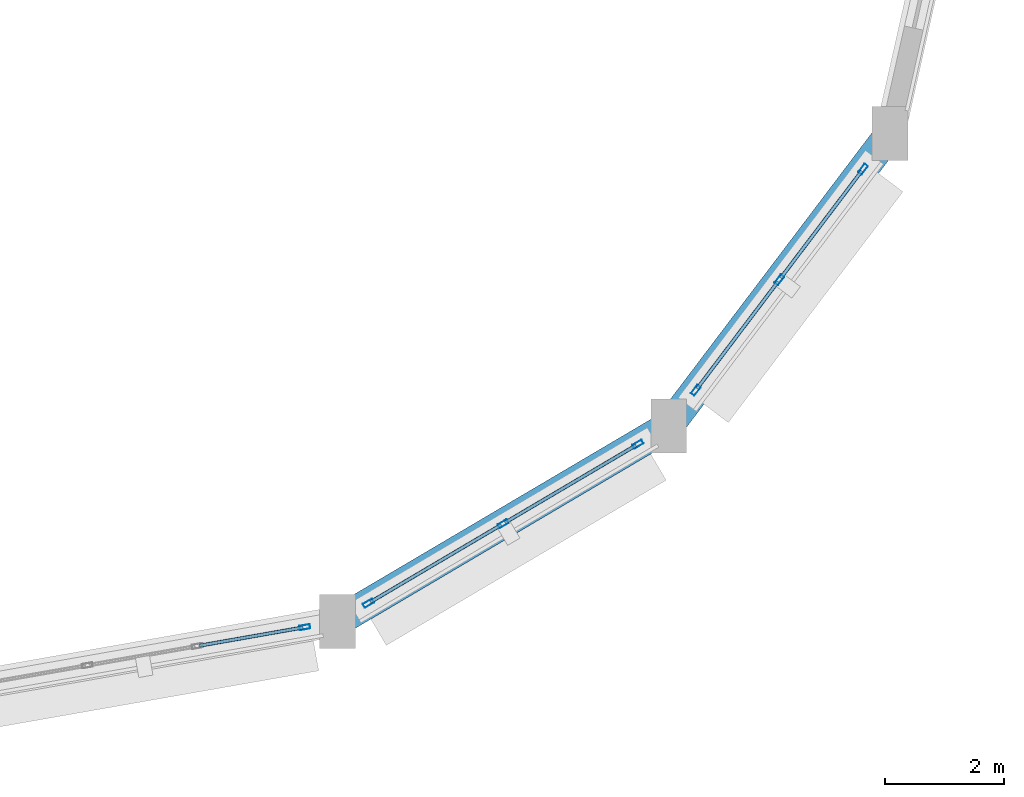
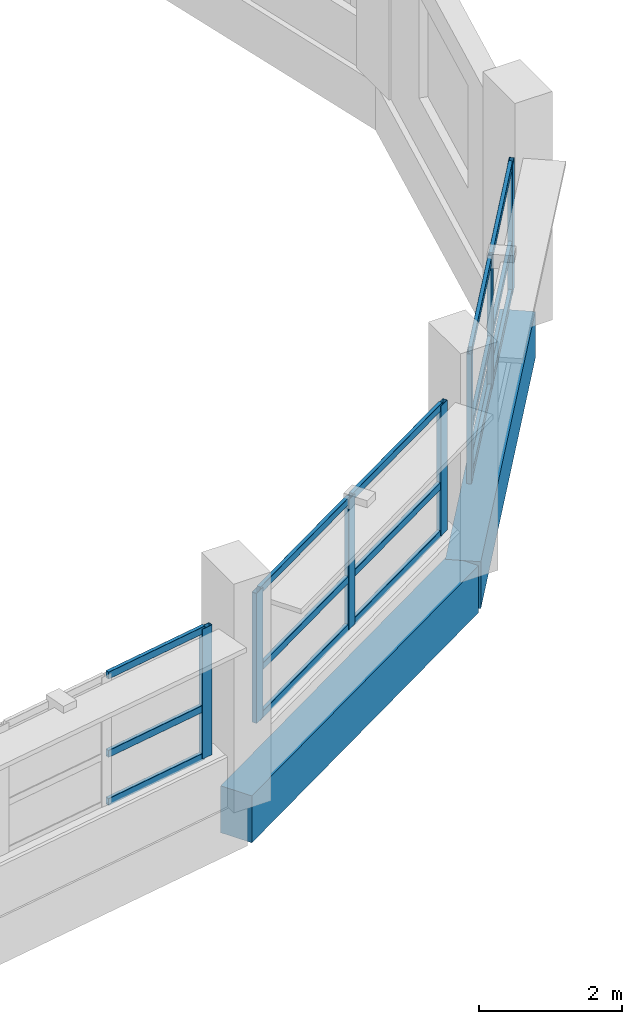
# One storey, part 83 of 121: 22 members, 2 beams, 3 elements without a shape of their own.
"""IFC4 building model written with IfcOpenShell, lengths in metres."""

from ifc_helpers import new_model, si_unit, direction, frame, origin, origin_2d, place, context, subcontext, project, spatial, rectangle, hollow_rectangle, extrude, material, layer, layer_set, material_profile, profile_set, type_object, element, aggregate, save


model = new_model("IFC4")

# Units and contexts
model_context = context("Model", 3, precision=1e-05, world=origin(), true_north=direction((0.0, 1.0)))
body_context = subcontext(model_context, "Body", "Model", "MODEL_VIEW")
ifc_project = project(units=[si_unit("LENGTHUNIT", "METRE"), si_unit("AREAUNIT", "SQUARE_METRE"), si_unit("VOLUMEUNIT", "CUBIC_METRE"), si_unit("PLANEANGLEUNIT", "RADIAN"), si_unit("MASSUNIT", "GRAM", prefix="KILO")], contexts=[model_context])

# Site, building, storey
site_placement = place(None, origin())
site = spatial("IfcSite", under=ifc_project, at=site_placement, CompositionType="ELEMENT")
building_placement = place(site_placement, origin())
building = spatial("IfcBuilding", under=site, at=building_placement, Name="Vespera Passage Community Centre", CompositionType="ELEMENT")
storey_placement = place(building_placement, frame((0.0, 0.0, 8.699951171875)))
storey = spatial("IfcBuildingStorey", under=building, at=storey_placement, Name="L02", CompositionType="ELEMENT", Elevation=8.699951171875)

# Beams
ifc_material_1 = material(Name="Concrete f'c 35 MPa", Category="concrete")
ifc_material_profile_1 = material_profile(ifc_material_1, rectangle(XDim=0.5, YDim=0.800048828125, at=origin_2d()), Name="RC500X800")
ifc_profile_set_1 = profile_set([ifc_material_profile_1], Name="Concrete f'c 35 MPa")
beam_type = type_object("IfcBeamType", Name="BM-SP-500X800E", PredefinedType="SPANDREL", material=ifc_profile_set_1)
beam_1_placement = place(storey_placement, frame((149.5439453125, 75.54931640625, -0.39990234375), z_axis=(0.861245535965, 0.508189065978, 0.0), x_axis=(-0.508189065978, 0.861245535965, 0.0)))
element("IfcBeam", 1, at=beam_1_placement, inside=storey, type_object=beam_type, Name="V2 L02 Perimeter Spandrel 14", PredefinedType="SPANDREL", context=body_context, shape_type="SweptSolid", body=[
    extrude(rectangle(XDim=0.5, YDim=0.800048828125, at=origin_2d()), origin(), (0.0, 0.0, 1.0), 6.44140625),
])
beam_2_placement = place(storey_placement, frame((155.091552734375, 78.82275390625, -0.39990234375), z_axis=(0.603409203322, 0.797431710773, 0.0), x_axis=(-0.797431710773, 0.603409203322, 0.0)))
element("IfcBeam", 2, at=beam_2_placement, inside=storey, type_object=beam_type, Name="V2 L02 Perimeter Spandrel 15", PredefinedType="SPANDREL", context=body_context, shape_type="SweptSolid", body=[
    extrude(rectangle(XDim=0.5, YDim=0.800048828125, at=origin_2d()), origin(), (0.0, 0.0, 1.0), 6.14306640625),
])

# Curtain wall, member
ifc_material_2 = material(Name="Anodized aluminium 6063-T6", Category="aluminium")
ifc_layer_1 = layer(ifc_material_2, 0.159912109375)
ifc_layer_set_1 = layer_set([ifc_layer_1], Name="Anodized aluminium 6063-T6")
curtain_wall_type_1 = type_object("IfcCurtainWallType", Name="CW-100E", PredefinedType="NOTDEFINED", material=ifc_layer_set_1)
curtain_wall_1_placement = place(storey_placement, origin())
curtain_wall_1 = element("IfcCurtainWall", 3, at=curtain_wall_1_placement, inside=storey, type_object=curtain_wall_type_1, Name="Sports Drum Ribbon Curtain Wall L02.13", PredefinedType="NOTDEFINED")
ifc_material_3 = material(Name="Anodized aluminium 6063-T6", Category="aluminium")
ifc_material_profile_2 = material_profile(ifc_material_3, hollow_rectangle(XDim=0.074951171875, YDim=0.179931640625, WallThickness=0.0048828125, InnerFilletRadius=0.00244140625, OuterFilletRadius=0.0048828125, at=origin_2d()), Name="ALU180X75X5")
ifc_profile_set_2 = profile_set([ifc_material_profile_2], Name="Anodized aluminium 6063-T6")
member_type_1 = type_object("IfcMemberType", Name="MB-CWM-180E", PredefinedType="MULLION", material=ifc_profile_set_2)
member_1_placement = place(storey_placement, frame((148.9951171875, 75.453125, 0.85009765625), z_axis=(0.0, 0.0, 1.0), x_axis=(0.172994429562, -0.984922802731, 0.0)))
member_1 = element("IfcMember", 4, at=member_1_placement, type_object=member_type_1, Name="CW-100E mullion 1", PredefinedType="MULLION", context=body_context, shape_type="SweptSolid", body=[
    extrude(hollow_rectangle(XDim=0.074951171875, YDim=0.179931640625, WallThickness=0.0048828125, InnerFilletRadius=0.00244140625, OuterFilletRadius=0.0048828125, at=origin_2d()), origin(), (0.0, 0.0, 1.0), 2.21484375),
])

# Curtain wall, members
ifc_material_4 = material(Name="Anodized aluminium 6063-T6", Category="aluminium")
ifc_layer_2 = layer(ifc_material_4, 0.159912109375)
ifc_layer_set_2 = layer_set([ifc_layer_2], Name="Anodized aluminium 6063-T6")
curtain_wall_type_2 = type_object("IfcCurtainWallType", Name="CW-99E", PredefinedType="NOTDEFINED", material=ifc_layer_set_2)
curtain_wall_2_placement = place(storey_placement, origin())
curtain_wall_2 = element("IfcCurtainWall", 5, at=curtain_wall_2_placement, inside=storey, type_object=curtain_wall_type_2, Name="Sports Drum Ribbon Curtain Wall L02.14", PredefinedType="NOTDEFINED")
member_2_placement = place(storey_placement, frame((154.573974609375, 78.517333984375, 0.85009765625), z_axis=(0.0, 0.0, 1.0), x_axis=(0.50817007737, -0.861256740157, 0.0)))
member_2 = element("IfcMember", 6, at=member_2_placement, type_object=member_type_1, Name="CW-99E mullion 1", PredefinedType="MULLION", context=body_context, shape_type="SweptSolid", body=[
    extrude(hollow_rectangle(XDim=0.074951171875, YDim=0.179931640625, WallThickness=0.0048828125, InnerFilletRadius=0.00244140625, OuterFilletRadius=0.0048828125, at=origin_2d()), origin(), (0.0, 0.0, 1.0), 2.21484375),
])
member_3_placement = place(storey_placement, frame((152.317626953125, 77.18603515625, 0.85009765625), z_axis=(0.0, 0.0, 1.0), x_axis=(0.50817007737, -0.861256740157, 0.0)))
member_3 = element("IfcMember", 7, at=member_3_placement, type_object=member_type_1, Name="CW-99E mullion 2", PredefinedType="MULLION", context=body_context, shape_type="SweptSolid", body=[
    extrude(hollow_rectangle(XDim=0.074951171875, YDim=0.179931640625, WallThickness=0.0048828125, InnerFilletRadius=0.00244140625, OuterFilletRadius=0.0048828125, at=origin_2d()), origin(), (0.0, 0.0, 1.0), 2.21484375),
])
member_4_placement = place(storey_placement, frame((150.061279296875, 75.854736328125, 0.85009765625), z_axis=(0.0, 0.0, 1.0), x_axis=(0.50817007737, -0.861256740157, 0.0)))
member_4 = element("IfcMember", 8, at=member_4_placement, type_object=member_type_1, Name="CW-99E mullion 3", PredefinedType="MULLION", context=body_context, shape_type="SweptSolid", body=[
    extrude(hollow_rectangle(XDim=0.074951171875, YDim=0.179931640625, WallThickness=0.0048828125, InnerFilletRadius=0.00244140625, OuterFilletRadius=0.0048828125, at=origin_2d()), origin(), (0.0, 0.0, 1.0), 2.21484375),
])

ifc_material_5 = material(Name="Anodized aluminium 6063-T6", Category="aluminium")
ifc_layer_3 = layer(ifc_material_5, 0.159912109375)
ifc_layer_set_3 = layer_set([ifc_layer_3], Name="Anodized aluminium 6063-T6")
curtain_wall_type_3 = type_object("IfcCurtainWallType", Name="CW-98E", PredefinedType="NOTDEFINED", material=ifc_layer_set_3)
curtain_wall_3_placement = place(storey_placement, origin())
curtain_wall_3 = element("IfcCurtainWall", 9, at=curtain_wall_3_placement, inside=storey, type_object=curtain_wall_type_3, Name="Sports Drum Ribbon Curtain Wall L02.15", PredefinedType="NOTDEFINED")
member_5_placement = place(storey_placement, frame((158.345947265625, 83.123779296875, 0.85009765625), z_axis=(0.0, 0.0, 1.0), x_axis=(0.797434495654, -0.603405522961, 0.0)))
member_5 = element("IfcMember", 10, at=member_5_placement, type_object=member_type_1, Name="CW-98E mullion 1", PredefinedType="MULLION", context=body_context, shape_type="SweptSolid", body=[
    extrude(hollow_rectangle(XDim=0.074951171875, YDim=0.179931640625, WallThickness=0.0048828125, InnerFilletRadius=0.00244140625, OuterFilletRadius=0.0048828125, at=origin_2d()), origin(), (0.0, 0.0, 1.0), 2.21484375),
])
member_6_placement = place(storey_placement, frame((156.94482421875, 81.272216796875, 0.85009765625), z_axis=(0.0, 0.0, 1.0), x_axis=(0.797434495654, -0.603405522961, 0.0)))
member_6 = element("IfcMember", 11, at=member_6_placement, type_object=member_type_1, Name="CW-98E mullion 2", PredefinedType="MULLION", context=body_context, shape_type="SweptSolid", body=[
    extrude(hollow_rectangle(XDim=0.074951171875, YDim=0.179931640625, WallThickness=0.0048828125, InnerFilletRadius=0.00244140625, OuterFilletRadius=0.0048828125, at=origin_2d()), origin(), (0.0, 0.0, 1.0), 2.21484375),
])
member_7_placement = place(storey_placement, frame((155.5439453125, 79.42041015625, 0.85009765625), z_axis=(0.0, 0.0, 1.0), x_axis=(0.797434495654, -0.603405522961, 0.0)))
member_7 = element("IfcMember", 12, at=member_7_placement, type_object=member_type_1, Name="CW-98E mullion 3", PredefinedType="MULLION", context=body_context, shape_type="SweptSolid", body=[
    extrude(hollow_rectangle(XDim=0.074951171875, YDim=0.179931640625, WallThickness=0.0048828125, InnerFilletRadius=0.00244140625, OuterFilletRadius=0.0048828125, at=origin_2d()), origin(), (0.0, 0.0, 1.0), 2.21484375),
])

# Member
ifc_material_6 = material(Name="Anodized aluminium 6063-T6", Category="aluminium")
ifc_material_profile_3 = material_profile(ifc_material_6, hollow_rectangle(XDim=0.06005859375, YDim=0.1201171875, WallThickness=0.00390625, InnerFilletRadius=0.001953125, OuterFilletRadius=0.00390625, at=origin_2d()), Name="ALU120X60X4")
ifc_profile_set_3 = profile_set([ifc_material_profile_3], Name="Anodized aluminium 6063-T6")
member_type_2 = type_object("IfcMemberType", Name="MB-CWT-120E", PredefinedType="USERDEFINED", material=ifc_profile_set_3)
member_8_placement = place(storey_placement, frame((148.958251953125, 75.446533203125, 0.880126953125), z_axis=(-0.984924620758, -0.172984078529, 0.0), x_axis=(0.172984078529, -0.984924620758, 0.0)))
member_8 = element("IfcMember", 13, at=member_8_placement, type_object=member_type_2, Name="CW-100E transom 1.1", ObjectType="TRANSOM", PredefinedType="USERDEFINED", context=body_context, shape_type="SweptSolid", body=[
    extrude(hollow_rectangle(XDim=0.06005859375, YDim=0.1201171875, WallThickness=0.00390625, InnerFilletRadius=0.001953125, OuterFilletRadius=0.00390625, at=origin_2d()), origin(), (0.0, 0.0, 1.0), 1.755615234375),
])

member_9_placement = place(storey_placement, frame((148.958251953125, 75.446533203125, 1.699951171875), z_axis=(-0.984924620758, -0.172984078529, 0.0), x_axis=(0.172984078529, -0.984924620758, 0.0)))
member_9 = element("IfcMember", 14, at=member_9_placement, type_object=member_type_2, Name="CW-100E transom 1.2", ObjectType="TRANSOM", PredefinedType="USERDEFINED", context=body_context, shape_type="SweptSolid", body=[
    extrude(hollow_rectangle(XDim=0.06005859375, YDim=0.1201171875, WallThickness=0.00390625, InnerFilletRadius=0.001953125, OuterFilletRadius=0.00390625, at=origin_2d()), origin(), (0.0, 0.0, 1.0), 1.755615234375),
])

member_10_placement = place(storey_placement, frame((148.958251953125, 75.446533203125, 3.03515625), z_axis=(-0.984924620758, -0.172984078529, 0.0), x_axis=(0.172984078529, -0.984924620758, 0.0)))
member_10 = element("IfcMember", 15, at=member_10_placement, type_object=member_type_2, Name="CW-100E transom 1.3", ObjectType="TRANSOM", PredefinedType="USERDEFINED", context=body_context, shape_type="SweptSolid", body=[
    extrude(hollow_rectangle(XDim=0.06005859375, YDim=0.1201171875, WallThickness=0.00390625, InnerFilletRadius=0.001953125, OuterFilletRadius=0.00390625, at=origin_2d()), origin(), (0.0, 0.0, 1.0), 1.755615234375),
])

aggregate(curtain_wall_1, [member_1, member_8, member_9, member_10])

member_11_placement = place(storey_placement, frame((154.541748046875, 78.498291015625, 0.880126953125), z_axis=(-0.861245323455, -0.508189426127, 0.0), x_axis=(0.508189426127, -0.861245323455, 0.0)))
member_11 = element("IfcMember", 16, at=member_11_placement, type_object=member_type_2, Name="CW-99E transom 1.1", ObjectType="TRANSOM", PredefinedType="USERDEFINED", context=body_context, shape_type="SweptSolid", body=[
    extrude(hollow_rectangle(XDim=0.06005859375, YDim=0.1201171875, WallThickness=0.00390625, InnerFilletRadius=0.001953125, OuterFilletRadius=0.00390625, at=origin_2d()), origin(), (0.0, 0.0, 1.0), 2.544677734375),
])

member_12_placement = place(storey_placement, frame((154.541748046875, 78.498291015625, 1.699951171875), z_axis=(-0.861245323455, -0.508189426127, 0.0), x_axis=(0.508189426127, -0.861245323455, 0.0)))
member_12 = element("IfcMember", 17, at=member_12_placement, type_object=member_type_2, Name="CW-99E transom 1.2", ObjectType="TRANSOM", PredefinedType="USERDEFINED", context=body_context, shape_type="SweptSolid", body=[
    extrude(hollow_rectangle(XDim=0.06005859375, YDim=0.1201171875, WallThickness=0.00390625, InnerFilletRadius=0.001953125, OuterFilletRadius=0.00390625, at=origin_2d()), origin(), (0.0, 0.0, 1.0), 2.544677734375),
])

member_13_placement = place(storey_placement, frame((154.541748046875, 78.498291015625, 3.03515625), z_axis=(-0.861245323455, -0.508189426127, 0.0), x_axis=(0.508189426127, -0.861245323455, 0.0)))
member_13 = element("IfcMember", 18, at=member_13_placement, type_object=member_type_2, Name="CW-99E transom 1.3", ObjectType="TRANSOM", PredefinedType="USERDEFINED", context=body_context, shape_type="SweptSolid", body=[
    extrude(hollow_rectangle(XDim=0.06005859375, YDim=0.1201171875, WallThickness=0.00390625, InnerFilletRadius=0.001953125, OuterFilletRadius=0.00390625, at=origin_2d()), origin(), (0.0, 0.0, 1.0), 2.544677734375),
])

member_14_placement = place(storey_placement, frame((152.285400390625, 77.1669921875, 0.880126953125), z_axis=(-0.861245323455, -0.508189426127, 0.0), x_axis=(0.508189426127, -0.861245323455, 0.0)))
member_14 = element("IfcMember", 19, at=member_14_placement, type_object=member_type_2, Name="CW-99E transom 2.1", ObjectType="TRANSOM", PredefinedType="USERDEFINED", context=body_context, shape_type="SweptSolid", body=[
    extrude(hollow_rectangle(XDim=0.06005859375, YDim=0.1201171875, WallThickness=0.00390625, InnerFilletRadius=0.001953125, OuterFilletRadius=0.00390625, at=origin_2d()), origin(), (0.0, 0.0, 1.0), 2.544677734375),
])

member_15_placement = place(storey_placement, frame((152.285400390625, 77.1669921875, 1.699951171875), z_axis=(-0.861245323455, -0.508189426127, 0.0), x_axis=(0.508189426127, -0.861245323455, 0.0)))
member_15 = element("IfcMember", 20, at=member_15_placement, type_object=member_type_2, Name="CW-99E transom 2.2", ObjectType="TRANSOM", PredefinedType="USERDEFINED", context=body_context, shape_type="SweptSolid", body=[
    extrude(hollow_rectangle(XDim=0.06005859375, YDim=0.1201171875, WallThickness=0.00390625, InnerFilletRadius=0.001953125, OuterFilletRadius=0.00390625, at=origin_2d()), origin(), (0.0, 0.0, 1.0), 2.544677734375),
])

member_16_placement = place(storey_placement, frame((152.285400390625, 77.1669921875, 3.03515625), z_axis=(-0.861245323455, -0.508189426127, 0.0), x_axis=(0.508189426127, -0.861245323455, 0.0)))
member_16 = element("IfcMember", 21, at=member_16_placement, type_object=member_type_2, Name="CW-99E transom 2.3", ObjectType="TRANSOM", PredefinedType="USERDEFINED", context=body_context, shape_type="SweptSolid", body=[
    extrude(hollow_rectangle(XDim=0.06005859375, YDim=0.1201171875, WallThickness=0.00390625, InnerFilletRadius=0.001953125, OuterFilletRadius=0.00390625, at=origin_2d()), origin(), (0.0, 0.0, 1.0), 2.544677734375),
])

aggregate(curtain_wall_2, [member_2, member_3, member_4, member_11, member_12, member_13, member_14, member_15, member_16])

member_17_placement = place(storey_placement, frame((158.3232421875, 83.09375, 0.880126953125), z_axis=(-0.603384780926, -0.797450190386, 0.0), x_axis=(0.797450190386, -0.603384780926, 0.0)))
member_17 = element("IfcMember", 22, at=member_17_placement, type_object=member_type_2, Name="CW-98E transom 1.1", ObjectType="TRANSOM", PredefinedType="USERDEFINED", context=body_context, shape_type="SweptSolid", body=[
    extrude(hollow_rectangle(XDim=0.06005859375, YDim=0.1201171875, WallThickness=0.00390625, InnerFilletRadius=0.001953125, OuterFilletRadius=0.00390625, at=origin_2d()), origin(), (0.0, 0.0, 1.0), 2.246826171875),
])

member_18_placement = place(storey_placement, frame((158.3232421875, 83.09375, 1.699951171875), z_axis=(-0.603384780926, -0.797450190386, 0.0), x_axis=(0.797450190386, -0.603384780926, 0.0)))
member_18 = element("IfcMember", 23, at=member_18_placement, type_object=member_type_2, Name="CW-98E transom 1.2", ObjectType="TRANSOM", PredefinedType="USERDEFINED", context=body_context, shape_type="SweptSolid", body=[
    extrude(hollow_rectangle(XDim=0.06005859375, YDim=0.1201171875, WallThickness=0.00390625, InnerFilletRadius=0.001953125, OuterFilletRadius=0.00390625, at=origin_2d()), origin(), (0.0, 0.0, 1.0), 2.246826171875),
])

member_19_placement = place(storey_placement, frame((158.3232421875, 83.09375, 3.03515625), z_axis=(-0.603384780926, -0.797450190386, 0.0), x_axis=(0.797450190386, -0.603384780926, 0.0)))
member_19 = element("IfcMember", 24, at=member_19_placement, type_object=member_type_2, Name="CW-98E transom 1.3", ObjectType="TRANSOM", PredefinedType="USERDEFINED", context=body_context, shape_type="SweptSolid", body=[
    extrude(hollow_rectangle(XDim=0.06005859375, YDim=0.1201171875, WallThickness=0.00390625, InnerFilletRadius=0.001953125, OuterFilletRadius=0.00390625, at=origin_2d()), origin(), (0.0, 0.0, 1.0), 2.246826171875),
])

member_20_placement = place(storey_placement, frame((156.92236328125, 81.2421875, 0.880126953125), z_axis=(-0.603453873456, -0.797397907328, 0.0), x_axis=(0.797397907328, -0.603453873456, 0.0)))
member_20 = element("IfcMember", 25, at=member_20_placement, type_object=member_type_2, Name="CW-98E transom 2.1", ObjectType="TRANSOM", PredefinedType="USERDEFINED", context=body_context, shape_type="SweptSolid", body=[
    extrude(hollow_rectangle(XDim=0.06005859375, YDim=0.1201171875, WallThickness=0.00390625, InnerFilletRadius=0.001953125, OuterFilletRadius=0.00390625, at=origin_2d()), origin(), (0.0, 0.0, 1.0), 2.2470703125),
])

member_21_placement = place(storey_placement, frame((156.92236328125, 81.2421875, 1.699951171875), z_axis=(-0.603453873456, -0.797397907328, 0.0), x_axis=(0.797397907328, -0.603453873456, 0.0)))
member_21 = element("IfcMember", 26, at=member_21_placement, type_object=member_type_2, Name="CW-98E transom 2.2", ObjectType="TRANSOM", PredefinedType="USERDEFINED", context=body_context, shape_type="SweptSolid", body=[
    extrude(hollow_rectangle(XDim=0.06005859375, YDim=0.1201171875, WallThickness=0.00390625, InnerFilletRadius=0.001953125, OuterFilletRadius=0.00390625, at=origin_2d()), origin(), (0.0, 0.0, 1.0), 2.2470703125),
])

member_22_placement = place(storey_placement, frame((156.92236328125, 81.2421875, 3.03515625), z_axis=(-0.603453873456, -0.797397907328, 0.0), x_axis=(0.797397907328, -0.603453873456, 0.0)))
member_22 = element("IfcMember", 27, at=member_22_placement, type_object=member_type_2, Name="CW-98E transom 2.3", ObjectType="TRANSOM", PredefinedType="USERDEFINED", context=body_context, shape_type="SweptSolid", body=[
    extrude(hollow_rectangle(XDim=0.06005859375, YDim=0.1201171875, WallThickness=0.00390625, InnerFilletRadius=0.001953125, OuterFilletRadius=0.00390625, at=origin_2d()), origin(), (0.0, 0.0, 1.0), 2.2470703125),
])

aggregate(curtain_wall_3, [member_5, member_6, member_7, member_17, member_18, member_19, member_20, member_21, member_22])

save(model, "model.ifc")
